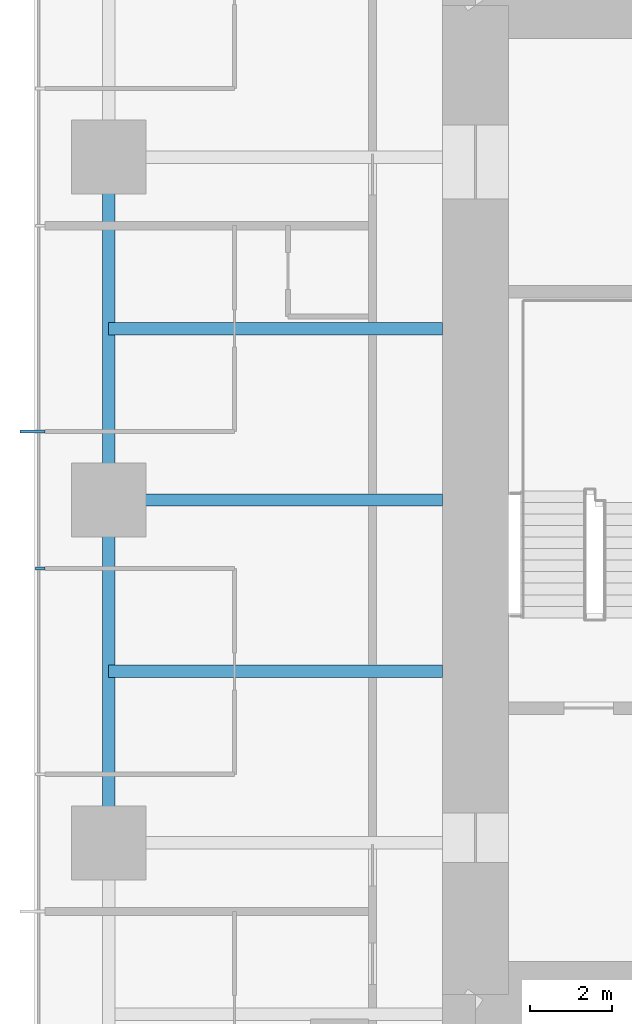
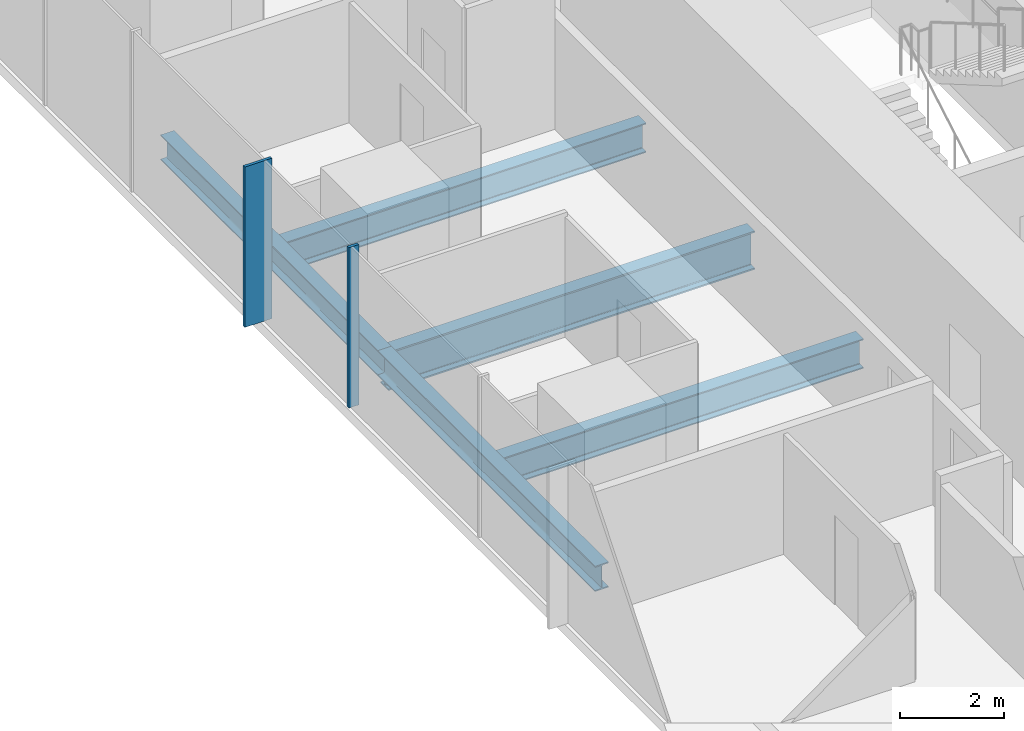
# One storey, part 3 of 12: 5 beams, 2 members, 1 element without a shape of its own.
"""IFC4 building model written with IfcOpenShell, lengths in metres."""

import ifcopenshell
import ifcopenshell.guid

model = None  # the IFC model being written
_history = None  # IfcOwnerHistory: only IFC2X3 demands one
_inside = {}  # id of a spatial element -> (the spatial element, [elements in it])
_under = {}  # id of a project, library or spatial element -> (it, [spatial elements below it])
_declared = {}  # id of a project -> (the project, [libraries it declares])
_typed = {}  # id of a type object -> (the type object, [elements of that type])
_made_of = {}  # id of a material, layer set ... -> (it, [elements and type objects made of it])


def new_model(schema):
    """Start an empty IFC model of exactly this schema.

    Asked for "IFC4X3", IfcOpenShell would pick the latest addendum, in which some entities
    have other attributes; the version numbers below select the first issue.
    IFC2X3 requires an IfcOwnerHistory on every rooted entity: one is made here for all.
    """
    global model, _history
    if schema == "IFC4X3":
        model = ifcopenshell.file(schema_version=(4, 3, 0, 0))
    else:
        model = ifcopenshell.file(schema=schema)
    _inside.clear()
    _under.clear()
    _declared.clear()
    _typed.clear()
    _made_of.clear()
    _history = None
    if model.schema == "IFC2X3":
        org = make("IfcOrganization", Name="unknown")
        user = make(
            "IfcPersonAndOrganization",
            ThePerson=make("IfcPerson", FamilyName="unknown"),
            TheOrganization=org,
        )
        app = make(
            "IfcApplication",
            ApplicationDeveloper=org,
            Version="unknown",
            ApplicationFullName="unknown",
            ApplicationIdentifier="unknown",
        )
        _history = make(
            "IfcOwnerHistory",
            OwningUser=user,
            OwningApplication=app,
            ChangeAction="ADDED",
            CreationDate=0,
        )
    return model


def make(cls, **values):
    """One entity of the class cls with the attributes given. An attribute that is None is left unset."""
    return model.create_entity(
        cls, **{name: value for name, value in values.items() if value is not None}
    )


def rooted(cls, **values):
    """An entity with a GlobalId (a new one), such as an element, a storey or a relation."""
    return make(cls, GlobalId=ifcopenshell.guid.new(), OwnerHistory=_history, **values)


def si_unit(unit_type, name, prefix=None):
    """IfcSIUnit, for example si_unit("LENGTHUNIT", "METRE", prefix="MILLI")."""
    return make("IfcSIUnit", UnitType=unit_type, Prefix=prefix, Name=name)


def assignment(units):
    """IfcUnitAssignment: the units of a project."""
    return None if units is None else make("IfcUnitAssignment", Units=units)


def point(xyz):
    """IfcCartesianPoint."""
    return None if xyz is None else make("IfcCartesianPoint", Coordinates=xyz)


def direction(xyz):
    """IfcDirection."""
    return None if xyz is None else make("IfcDirection", DirectionRatios=xyz)


def frame(location, z_axis=None, x_axis=None):
    """IfcAxis2Placement3D, a coordinate frame: its origin and axes. An axis left out is left unset."""
    return make(
        "IfcAxis2Placement3D",
        Location=point(location),
        Axis=direction(z_axis),
        RefDirection=direction(x_axis),
    )


def frame_2d(location, x_axis=None):
    """IfcAxis2Placement2D, a coordinate frame in the plane: its origin and x axis."""
    return make(
        "IfcAxis2Placement2D", Location=point(location), RefDirection=direction(x_axis)
    )


def origin():
    """The frame at (0, 0, 0) with its axes left unset."""
    return frame((0.0, 0.0, 0.0))


def origin_2d():
    """The frame at (0, 0) in the plane with its x axis left unset."""
    return frame_2d((0.0, 0.0))


def place(relative_to, where):
    """IfcLocalPlacement: puts the frame where relative to a parent placement (None: the world)."""
    return make(
        "IfcLocalPlacement", PlacementRelTo=relative_to, RelativePlacement=where
    )


def context(
    kind, dimensions, precision=None, world=None, true_north=None, identifier=None
):
    """IfcGeometricRepresentationContext, for example the 3D "Model" context."""
    return make(
        "IfcGeometricRepresentationContext",
        ContextIdentifier=identifier,
        ContextType=kind,
        CoordinateSpaceDimension=dimensions,
        Precision=precision,
        WorldCoordinateSystem=world,
        TrueNorth=true_north,
    )


def subcontext(parent, identifier, kind, view, scale=None):
    """IfcGeometricRepresentationSubContext, for example "Body" below "Model"."""
    return make(
        "IfcGeometricRepresentationSubContext",
        ContextIdentifier=identifier,
        ContextType=kind,
        ParentContext=parent,
        TargetScale=scale,
        TargetView=view,
    )


def project(units=None, contexts=None):
    """IfcProject with its units and contexts."""
    return rooted(
        "IfcProject",
        Name="project",
        RepresentationContexts=contexts,
        UnitsInContext=assignment(units),
    )


def spatial(cls, under=None, at=None, **own):
    """A site, building, storey or space (cls), placed at a placement, below another one or the project."""
    s = rooted(cls, ObjectPlacement=at, **own)
    if under is not None:
        _under.setdefault(under.id(), (under, []))[1].append(s)
    return s


def profile(cls, at=None, kind="AREA", **sizes):
    """A parametric profile (cls). Its sizes go by their IFC names, for example OverallWidth=200.0."""
    return make(cls, ProfileType=kind, Position=at, **sizes)


def rectangle(**sizes):
    """IfcRectangleProfileDef."""
    return profile("IfcRectangleProfileDef", **sizes)


def i_section(**sizes):
    """IfcIShapeProfileDef."""
    return profile("IfcIShapeProfileDef", **sizes)


def extrude(swept, where, along, depth):
    """IfcExtrudedAreaSolid: the profile swept, set in the frame where, extruded along a direction by depth."""
    return make(
        "IfcExtrudedAreaSolid",
        SweptArea=swept,
        Position=where,
        ExtrudedDirection=direction(along),
        Depth=depth,
    )


def shape(context_of_items, identifier, shape_type, items):
    """IfcShapeRepresentation: the items that make up one representation, for example the "Body"."""
    return make(
        "IfcShapeRepresentation",
        ContextOfItems=context_of_items,
        RepresentationIdentifier=identifier,
        RepresentationType=shape_type,
        Items=items,
    )


def material(Name=None, Category=None):
    """IfcMaterial."""
    return make("IfcMaterial", Name=Name, Category=Category)


def material_profile(
    of_material, cross_section, Name=None, Category=None, Priority=None
):
    """IfcMaterialProfile: a cross section and its material."""
    return make(
        "IfcMaterialProfile",
        Name=Name,
        Material=of_material,
        Profile=cross_section,
        Priority=Priority,
        Category=Category,
    )


def profile_set(profiles, Name=None, composite=None):
    """IfcMaterialProfileSet."""
    return make(
        "IfcMaterialProfileSet",
        Name=Name,
        MaterialProfiles=profiles,
        CompositeProfile=composite,
    )


def made_of(thing, what):
    """Note that an element or type object is made of a material, layer set ...; save() writes the relation."""
    if what is not None:
        _made_of.setdefault(what.id(), (what, []))[1].append(thing)
    return thing


def type_object(cls, material=None, **own):
    """A type object (cls), such as IfcWallType, which elements share."""
    return made_of(rooted(cls, **own), material)


def element(
    cls,
    number,
    at=None,
    inside=None,
    cuts=None,
    type_object=None,
    material=None,
    context=None,
    identifier="Body",
    shape_type=None,
    held_by="IfcProductDefinitionShape",
    body=None,
    shapes=None,
    **own,
):
    """One element of the class cls, such as IfcWall. Its Tag is "e" and its number.

    at: its placement. inside: the storey or other place that contains it. cuts: it is an
    opening in that element (IfcRelVoidsElement). A single representation is given by context,
    identifier, shape_type and body (its items); several are given by shapes. held_by: the class
    of the entity that holds the representations. save() writes the other relations.
    """
    e = rooted(cls, Tag="e%d" % number, ObjectPlacement=at, **own)
    if body is not None:
        shapes = [shape(context, identifier, shape_type, body)]
    if shapes is not None:
        e.Representation = make(held_by, Representations=shapes)
    if inside is not None:
        _inside.setdefault(inside.id(), (inside, []))[1].append(e)
    if cuts is not None:
        rooted(
            "IfcRelVoidsElement", RelatingBuildingElement=cuts, RelatedOpeningElement=e
        )
    if type_object is not None:
        _typed.setdefault(type_object.id(), (type_object, []))[1].append(e)
    return made_of(e, material)


def aggregate(whole, parts):
    """IfcRelAggregates: a whole, such as a stair, and the parts it consists of."""
    return rooted("IfcRelAggregates", RelatingObject=whole, RelatedObjects=parts)


def save(model, path):
    """Write the relations noted so far, then the file.

    IfcRelAggregates (storeys below a building ...), IfcRelContainedInSpatialStructure (elements
    in a storey), IfcRelDefinesByType, IfcRelAssociatesMaterial and IfcRelDeclares: one each for
    every whole, place, type object, material and project.
    """
    for whole, parts in _under.values():
        aggregate(whole, parts)
    for where, things in _inside.values():
        rooted(
            "IfcRelContainedInSpatialStructure",
            RelatedElements=things,
            RelatingStructure=where,
        )
    for kind, things in _typed.values():
        rooted("IfcRelDefinesByType", RelatedObjects=things, RelatingType=kind)
    for what, things in _made_of.values():
        rooted("IfcRelAssociatesMaterial", RelatedObjects=things, RelatingMaterial=what)
    for by, libraries in _declared.values():
        rooted("IfcRelDeclares", RelatingContext=by, RelatedDefinitions=libraries)
    model.write(path)


model = new_model("IFC4")

# Units and contexts
model_context = context("Model", 3, precision=1e-05, world=origin(), true_north=direction((0.0, 1.0)))
body_context = subcontext(model_context, "Body", "Model", "MODEL_VIEW")
ifc_project = project(units=[si_unit("LENGTHUNIT", "METRE"), si_unit("AREAUNIT", "SQUARE_METRE"), si_unit("VOLUMEUNIT", "CUBIC_METRE"), si_unit("PLANEANGLEUNIT", "RADIAN"), si_unit("MASSUNIT", "GRAM", prefix="KILO")], contexts=[model_context])

# Site, building, storey
site_placement = place(None, origin())
site = spatial("IfcSite", under=ifc_project, at=site_placement, CompositionType="ELEMENT")
building_placement = place(site_placement, origin())
building = spatial("IfcBuilding", under=site, at=building_placement, Name="Khuree Lantern Residences", CompositionType="ELEMENT")
storey_placement = place(building_placement, frame((0.0, 0.0, 229.5)))
storey = spatial("IfcBuildingStorey", under=building, at=storey_placement, Name="L57", CompositionType="ELEMENT", Elevation=229.5)

# Beams
ifc_material_1 = material(Name="Steel S355", Category="steel")
ifc_material_profile_1 = material_profile(ifc_material_1, i_section(OverallWidth=0.300048828125, OverallDepth=0.68994140625, WebThickness=0.014404296875, FlangeThickness=0.027099609375, FilletRadius=0.027099609375, at=origin_2d()), Name="HE 700 A")
ifc_profile_set_1 = profile_set([ifc_material_profile_1], Name="Steel S355")
beam_type_1 = type_object("IfcBeamType", Name="B-33 SECONDARY BEAM HE 700 A", PredefinedType="BEAM", material=ifc_profile_set_1)
for number, where, z_axis, x_axis, name in (
    (1, (-24.39990234375, -4.159912109375, -0.594970703125), (1.0, 0.0, 0.0), (0.0, 1.0, 0.0), "Secondary beam W3"),
    (2, (-24.39990234375, 4.159912109375, -0.594970703125), (1.0, 0.0, 0.0), (0.0, 1.0, 0.0), "Secondary beam W4"),
):
    element("IfcBeam", number, at=place(storey_placement, frame(where, z_axis=z_axis, x_axis=x_axis)), inside=storey, type_object=beam_type_1, Name=name, PredefinedType="BEAM", context=body_context, shape_type="SweptSolid", body=[
        extrude(i_section(OverallWidth=0.300048828125, OverallDepth=0.68994140625, WebThickness=0.014404296875, FlangeThickness=0.027099609375, FilletRadius=0.027099609375, at=origin_2d()), origin(), (0.0, 0.0, 1.0), 8.099853515625),
    ])
ifc_material_profile_2 = material_profile(ifc_material_1, i_section(OverallWidth=0.300048828125, OverallDepth=0.590087890625, WebThickness=0.012939453125, FlangeThickness=0.02490234375, FilletRadius=0.027099609375, at=origin_2d()), Name="HE 600 A")
ifc_profile_set_2 = profile_set([ifc_material_profile_2], Name="Steel S355")
beam_type_2 = type_object("IfcBeamType", Name="E-33 SPANDREL BEAM HE 600 A", PredefinedType="SPANDREL", material=ifc_profile_set_2)
for number, where, z_axis, x_axis, name in (
    (3, (-24.39990234375, -8.320068359375, -0.544921875), (0.0, 1.0, 0.0), (-1.0, 0.0, 0.0), "Spandrel beam W3"),
    (4, (-24.39990234375, 0.0, -0.544921875), (0.0, 1.0, 0.0), (-1.0, 0.0, 0.0), "Spandrel beam W4"),
):
    element("IfcBeam", number, at=place(storey_placement, frame(where, z_axis=z_axis, x_axis=x_axis)), inside=storey, type_object=beam_type_2, Name=name, PredefinedType="SPANDREL", context=body_context, shape_type="SweptSolid", body=[
        extrude(i_section(OverallWidth=0.300048828125, OverallDepth=0.590087890625, WebThickness=0.012939453125, FlangeThickness=0.02490234375, FilletRadius=0.027099609375, at=origin_2d()), origin(), (0.0, 0.0, 1.0), 8.320068359375),
    ])

# Curtain wall, member
ifc_material_2 = material(Name="Bronze anodised aluminium", Category="aluminium")
curtain_wall_type = type_object("IfcCurtainWallType", Name="CW-T1 TOWER FACE CURTAIN WALL", PredefinedType="USERDEFINED", material=ifc_material_2)
curtain_wall_placement = place(storey_placement, origin())
curtain_wall = element("IfcCurtainWall", 5, at=curtain_wall_placement, inside=storey, type_object=curtain_wall_type, Name="L57 WEST FACE CURTAIN WALL", ObjectType="Stick-built curtain wall", PredefinedType="USERDEFINED")
ifc_material_profile_3 = material_profile(ifc_material_2, rectangle(XDim=0.06494140625, YDim=0.60009765625, at=origin_2d()), Name="F1 65X600")
ifc_profile_set_3 = profile_set([ifc_material_profile_3], Name="Bronze anodised aluminium")
member_type_1 = type_object("IfcMemberType", Name="F1 BRONZE FIN MULLION TOWER 65X600", PredefinedType="MULLION", material=ifc_profile_set_3)
member_1_placement = place(storey_placement, frame((-26.25, 1.6640625, 0.0), z_axis=(0.0, 0.0, 1.0), x_axis=(0.0, -1.0, 0.0)))
member_1 = element("IfcMember", 6, at=member_1_placement, type_object=member_type_1, Name="L57 WEST FACE FIN MULLION 37", PredefinedType="MULLION", context=body_context, shape_type="SweptSolid", body=[
    extrude(rectangle(XDim=0.06494140625, YDim=0.60009765625, at=origin_2d()), origin(), (0.0, 0.0, 1.0), 3.75),
])

# Beam
ifc_material_profile_4 = material_profile(ifc_material_1, i_section(OverallWidth=0.300048828125, OverallDepth=0.89990234375, WebThickness=0.0185546875, FlangeThickness=0.034912109375, FilletRadius=0.030029296875, at=origin_2d()), Name="HE 900 B")
ifc_profile_set_4 = profile_set([ifc_material_profile_4], Name="Steel S355")
beam_type_3 = type_object("IfcBeamType", Name="G-33 GIRDER HE 900 B", PredefinedType="BEAM", material=ifc_profile_set_4)
beam_placement = place(storey_placement, frame((-24.39990234375, 0.0, -0.699951171875), z_axis=(1.0, 0.0, 0.0), x_axis=(0.0, 1.0, 0.0)))
element("IfcBeam", 7, at=beam_placement, inside=storey, type_object=beam_type_3, Name="Girder W3", PredefinedType="BEAM", context=body_context, shape_type="SweptSolid", body=[
    extrude(i_section(OverallWidth=0.300048828125, OverallDepth=0.89990234375, WebThickness=0.0185546875, FlangeThickness=0.034912109375, FilletRadius=0.030029296875, at=origin_2d()), origin(), (0.0, 0.0, 1.0), 8.099853515625),
])

# Member
ifc_material_profile_5 = material_profile(ifc_material_2, rectangle(XDim=0.06494140625, YDim=0.219970703125, at=origin_2d()), Name="M1 65X220")
ifc_profile_set_5 = profile_set([ifc_material_profile_5], Name="Bronze anodised aluminium")
member_type_2 = type_object("IfcMemberType", Name="M1 BRONZE MULLION TOWER 65X220", PredefinedType="MULLION", material=ifc_profile_set_5)
member_2_placement = place(storey_placement, frame((-26.06005859375, -1.6640625, 0.0), z_axis=(0.0, 0.0, 1.0), x_axis=(0.0, -1.0, 0.0)))
member_2 = element("IfcMember", 8, at=member_2_placement, type_object=member_type_2, Name="L57 WEST FACE MULLION 38", PredefinedType="MULLION", context=body_context, shape_type="SweptSolid", body=[
    extrude(rectangle(XDim=0.06494140625, YDim=0.219970703125, at=origin_2d()), origin(), (0.0, 0.0, 1.0), 3.75),
])

aggregate(curtain_wall, [member_1, member_2])

save(model, "model.ifc")
